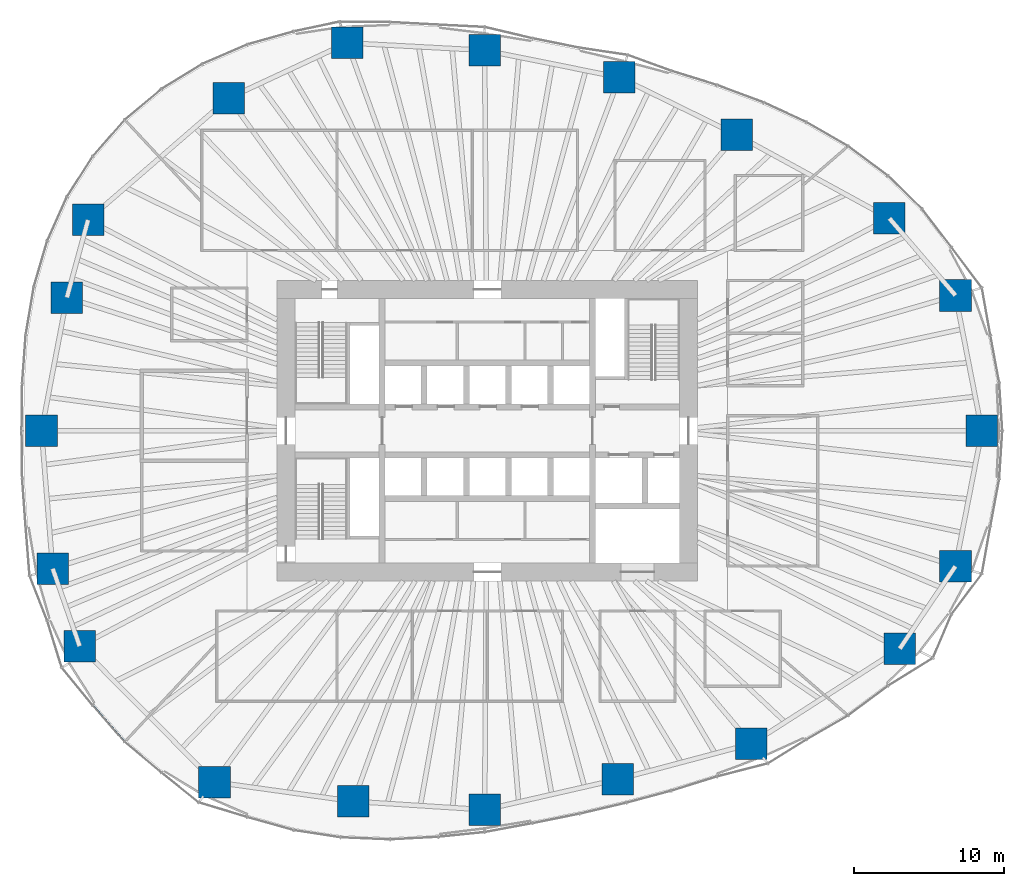
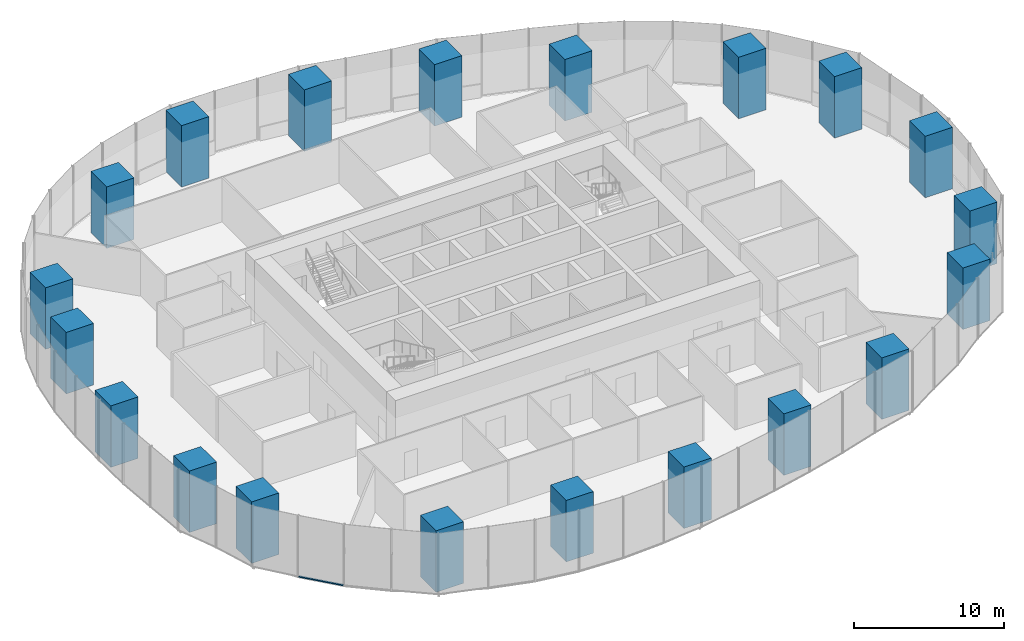
# One storey, part 1 of 20: 20 columns, 1 member, 1 element without a shape of its own.
"""IFC4 building model written with IfcOpenShell, lengths in metres."""

from ifc_helpers import new_model, si_unit, direction, frame, origin, origin_2d, place, context, subcontext, project, spatial, rectangle, extrude, material, material_profile, profile_set, type_object, element, aggregate, save


model = new_model("IFC4")

# Units and contexts
model_context = context("Model", 3, precision=1e-05, world=origin(), true_north=direction((0.0, 1.0)))
body_context = subcontext(model_context, "Body", "Model", "MODEL_VIEW")
ifc_project = project(units=[si_unit("LENGTHUNIT", "METRE"), si_unit("AREAUNIT", "SQUARE_METRE"), si_unit("VOLUMEUNIT", "CUBIC_METRE"), si_unit("PLANEANGLEUNIT", "RADIAN"), si_unit("MASSUNIT", "GRAM", prefix="KILO")], contexts=[model_context])

# Site, building, storey
site_placement = place(None, origin())
site = spatial("IfcSite", under=ifc_project, at=site_placement, CompositionType="ELEMENT")
building_placement = place(site_placement, origin())
building = spatial("IfcBuilding", under=site, at=building_placement, Name="Ghaith Harvest Tower", CompositionType="ELEMENT")
storey_placement = place(building_placement, frame((0.0, 0.0, 25.0)))
storey = spatial("IfcBuildingStorey", under=building, at=storey_placement, Name="L05", CompositionType="ELEMENT", Elevation=25.0)

# Columns
ifc_material_1 = material(Name="Concrete C70/85", Category="concrete")
ifc_material_profile_1 = material_profile(ifc_material_1, rectangle(XDim=2.10009765625, YDim=2.10009765625, at=origin_2d()), Name="RC2100X2100")
ifc_profile_set_1 = profile_set([ifc_material_profile_1], Name="Concrete C70/85")
column_type = type_object("IfcColumnType", Name="TC1 RC2100X2100", PredefinedType="COLUMN", material=ifc_profile_set_1)
for number, where, z_axis, x_axis, name in (
    (1, (32.925048828125, 0.0, 0.0), (0.0, 0.0, 1.0), (1.0, 0.0, 0.0), "Perimeter column C01"),
    (2, (31.166015625, 9.008056640625, 0.0), (0.0, 0.0, 1.0), (1.0, 0.0, 0.0), "Perimeter column C02"),
    (3, (26.763916015625, 14.14697265625, 0.0), (0.0, 0.0, 1.0), (1.0, 0.0, 0.0), "Perimeter column C03"),
    (4, (16.60791015625, 19.695068359375, 0.0), (0.0, 0.0, 1.0), (1.0, 0.0, 0.0), "Perimeter column C04"),
    (5, (8.794921875, 23.527099609375, 0.0), (0.0, 0.0, 1.0), (1.0, 0.0, 0.0), "Perimeter column C05"),
    (6, (-0.173095703125, 25.326904296875, 0.0), (0.0, 0.0, 1.0), (1.0, 0.0, 0.0), "Perimeter column C06"),
    (7, (-9.325927734375, 25.821044921875, 0.0), (0.0, 0.0, 1.0), (1.0, 0.0, 0.0), "Perimeter column C07"),
    (8, (-17.201904296875, 22.14990234375, 0.0), (0.0, 0.0, 1.0), (1.0, 0.0, 0.0), "Perimeter column C08"),
    (9, (-26.572998046875, 14.0458984375, 0.0), (0.0, 0.0, 1.0), (1.0, 0.0, 0.0), "Perimeter column C09"),
    (10, (-27.98291015625, 8.867919921875, 0.0), (0.0, 0.0, 1.0), (1.0, 0.0, 0.0), "Perimeter column C10"),
    (11, (-29.675048828125, 0.0, 0.0), (0.0, 0.0, 1.0), (1.0, 0.0, 0.0), "Perimeter column C11"),
    (12, (-28.929931640625, -9.16796875, 0.0), (0.0, 0.0, 1.0), (1.0, 0.0, 0.0), "Perimeter column C12"),
    (13, (-27.132080078125, -14.341064453125, 0.0), (0.0, 0.0, 1.0), (1.0, 0.0, 0.0), "Perimeter column C13"),
    (14, (-18.157958984375, -23.3798828125, 0.0), (0.0, 0.0, 1.0), (1.0, 0.0, 0.0), "Perimeter column C14"),
    (15, (-8.908935546875, -24.66796875, 0.0), (0.0, 0.0, 1.0), (1.0, 0.0, 0.0), "Perimeter column C15"),
    (16, (-0.173095703125, -25.22412109375, 0.0), (0.0, 0.0, 1.0), (1.0, 0.0, 0.0), "Perimeter column C16"),
    (17, (8.674072265625, -23.202880859375, 0.0), (0.0, 0.0, 1.0), (1.0, 0.0, 0.0), "Perimeter column C17"),
    (18, (17.572021484375, -20.8369140625, 0.0), (0.0, 0.0, 1.0), (1.0, 0.0, 0.0), "Perimeter column C18"),
    (19, (27.448974609375, -14.509033203125, 0.0), (0.0, 0.0, 1.0), (1.0, 0.0, 0.0), "Perimeter column C19"),
    (20, (31.166015625, -9.008056640625, 0.0), (0.0, 0.0, 1.0), (1.0, 0.0, 0.0), "Perimeter column C20"),
):
    element("IfcColumn", number, at=place(storey_placement, frame(where, z_axis=z_axis, x_axis=x_axis)), inside=storey, type_object=column_type, Name=name, PredefinedType="COLUMN", context=body_context, shape_type="SweptSolid", body=[
        extrude(rectangle(XDim=2.10009765625, YDim=2.10009765625, at=origin_2d()), origin(), (0.0, 0.0, 1.0), 5.0),
    ])

# Curtain wall, member
ifc_material_2 = material(Name="Black anodised aluminium and fritted glass", Category="aluminium")
curtain_wall_type = type_object("IfcCurtainWallType", Name="CW-F CURTAIN WALL", PredefinedType="NOTDEFINED", material=ifc_material_2)
curtain_wall_placement = place(storey_placement, origin())
curtain_wall = element("IfcCurtainWall", 21, at=curtain_wall_placement, inside=storey, type_object=curtain_wall_type, Name="Curtain wall CW-F bay 13 L05", PredefinedType="NOTDEFINED")
ifc_material_3 = material(Name="Aluminium, black anodised", Category="aluminium")
ifc_material_profile_2 = material_profile(ifc_material_3, rectangle(XDim=0.139892578125, YDim=0.080078125, at=origin_2d()), Name="CW-F TRANSOM 140x80")
ifc_profile_set_2 = profile_set([ifc_material_profile_2], Name="Aluminium, black anodised")
member_type = type_object("IfcMemberType", Name="CW-F TRANSOM 140x80", PredefinedType="USERDEFINED", material=ifc_profile_set_2)
member_placement = place(storey_placement, frame((-26.23681640625, -18.30419921875, 0.0400390625), z_axis=(0.65923052982, -0.751940894322, 0.0), x_axis=(0.751940894322, 0.65923052982, 0.0)))
member = element("IfcMember", 22, at=member_placement, type_object=member_type, Name="CW-F transom 1 bay 13 L05", ObjectType="TRANSOM", PredefinedType="USERDEFINED", context=body_context, shape_type="SweptSolid", body=[
    extrude(rectangle(XDim=0.139892578125, YDim=0.080078125, at=origin_2d()), origin(), (0.0, 0.0, 1.0), 3.1416015625),
])
aggregate(curtain_wall, [member])

save(model, "model.ifc")
